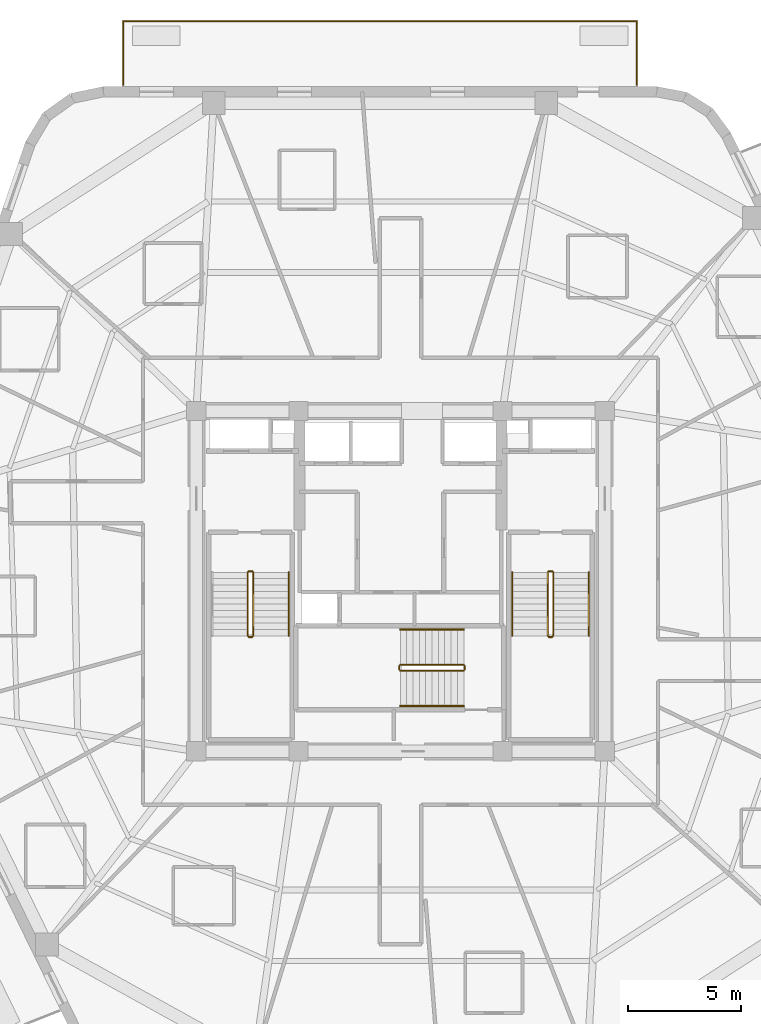
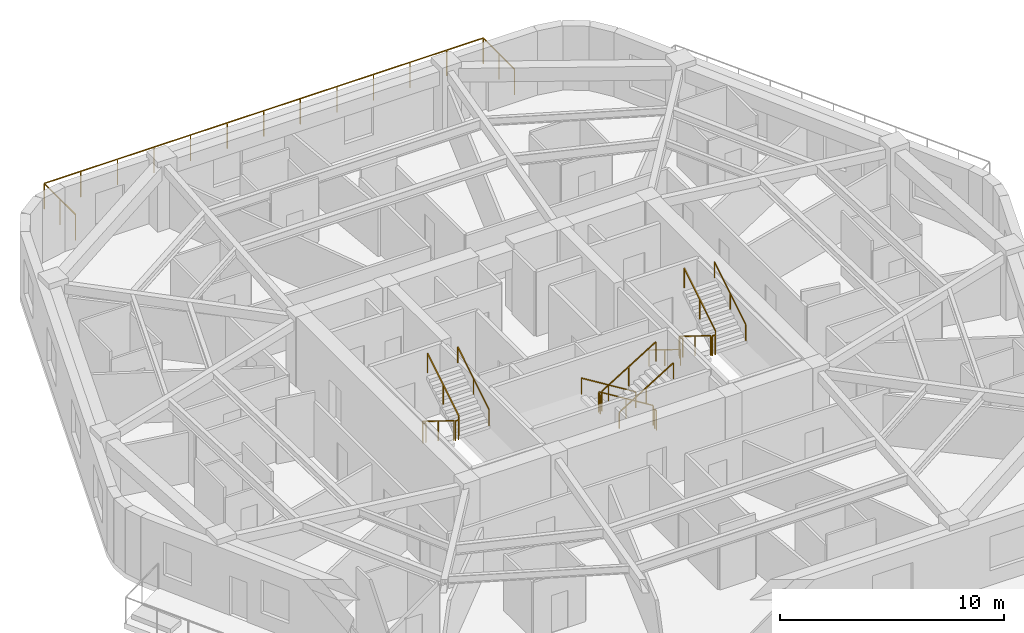
# One storey, part 9 of 10: 18 railings.
"""IFC4 building model written with IfcOpenShell, lengths in metres."""

from ifc_helpers import new_model, si_unit, direction, frame, origin, origin_2d, place, context, subcontext, project, spatial, rectangle, extrude, material, layer, layer_set, type_object, element, save


model = new_model("IFC4")

# Units and contexts
model_context = context("Model", 3, precision=1e-05, world=origin(), true_north=direction((0.0, 1.0)))
body_context = subcontext(model_context, "Body", "Model", "MODEL_VIEW")
ifc_project = project(units=[si_unit("LENGTHUNIT", "METRE"), si_unit("AREAUNIT", "SQUARE_METRE"), si_unit("VOLUMEUNIT", "CUBIC_METRE"), si_unit("PLANEANGLEUNIT", "RADIAN"), si_unit("MASSUNIT", "GRAM", prefix="KILO")], contexts=[model_context])

# Site, building, storey
site_placement = place(None, origin())
site = spatial("IfcSite", under=ifc_project, at=site_placement, CompositionType="ELEMENT")
building_placement = place(site_placement, origin())
building = spatial("IfcBuilding", under=site, at=building_placement, Name="Kilnhurst Terrace Hotel", CompositionType="ELEMENT")
storey_placement = place(building_placement, frame((0.0, 0.0, 248.300048828125)))
storey = spatial("IfcBuildingStorey", under=building, at=storey_placement, Name="L62", CompositionType="ELEMENT", Elevation=248.300048828125)

# Railings
ifc_material_1 = material(Name="Laminated SentryGlas and Stainless Steel AISI 316L Balustrade", Category="steel")
ifc_layer_1 = layer(ifc_material_1, 0.070068359375, Name="Laminated SentryGlas and Stainless Steel AISI 316L Balustrade")
ifc_layer_set_1 = layer_set([ifc_layer_1], Name="Laminated SentryGlas and Stainless Steel AISI 316L Balustrade")
railing_type_1 = type_object("IfcRailingType", Name="RLG-BAL-1420", PredefinedType="BALUSTRADE", material=ifc_layer_set_1)
railing_1_placement = place(storey_placement, frame((-12.21484375, 21.8798828125, 0.0)))
element("IfcRailing", 1, at=railing_1_placement, inside=storey, type_object=railing_type_1, Name="L62 Exterior Terrace Guardrail BAL-L1B.1", PredefinedType="BALUSTRADE", context=body_context, shape_type="SweptSolid", body=[
    extrude(rectangle(XDim=0.048095703125, YDim=0.048095703125, at=origin_2d()), frame((0.0, 0.0, 1.39599609375), z_axis=(0.0, 1.0, 0.0), x_axis=(-1.0, 0.0, 0.0)), (0.0, 0.0, 1.0), 2.800048828125),
    extrude(rectangle(XDim=0.048095703125, YDim=0.048095703125, at=origin_2d()), frame((0.0, 2.800048828125, 1.39599609375), z_axis=(1.0, 0.0, 0.0), x_axis=(0.0, 1.0, 0.0)), (0.0, 0.0, 1.0), 22.62353515625),
    extrude(rectangle(XDim=0.048095703125, YDim=0.048095703125, at=origin_2d()), frame((22.62353515625, 2.800048828125, 1.39599609375), z_axis=(0.0, -1.0, 0.0), x_axis=(1.0, 0.0, 0.0)), (0.0, 0.0, 1.0), 2.800048828125),
    extrude(rectangle(XDim=0.0419921875, YDim=0.0419921875, at=origin_2d()), origin(), (0.0, 0.0, 1.0), 1.371826171875),
    extrude(rectangle(XDim=0.0419921875, YDim=0.0419921875, at=origin_2d()), frame((0.0, 1.39990234375, 0.0)), (0.0, 0.0, 1.0), 1.371826171875),
    extrude(rectangle(XDim=0.0419921875, YDim=0.0419921875, at=origin_2d()), frame((0.0, 2.800048828125, 0.0)), (0.0, 0.0, 1.0), 1.371826171875),
    extrude(rectangle(XDim=0.0419921875, YDim=0.0419921875, at=origin_2d()), frame((1.88525390625, 2.800048828125, 0.0)), (0.0, 0.0, 1.0), 1.371826171875),
    extrude(rectangle(XDim=0.0419921875, YDim=0.0419921875, at=origin_2d()), frame((3.7705078125, 2.800048828125, 0.0)), (0.0, 0.0, 1.0), 1.371826171875),
    extrude(rectangle(XDim=0.0419921875, YDim=0.0419921875, at=origin_2d()), frame((5.65576171875, 2.800048828125, 0.0)), (0.0, 0.0, 1.0), 1.371826171875),
    extrude(rectangle(XDim=0.0419921875, YDim=0.0419921875, at=origin_2d()), frame((7.541259765625, 2.800048828125, 0.0)), (0.0, 0.0, 1.0), 1.371826171875),
    extrude(rectangle(XDim=0.0419921875, YDim=0.0419921875, at=origin_2d()), frame((9.426513671875, 2.800048828125, 0.0)), (0.0, 0.0, 1.0), 1.371826171875),
    extrude(rectangle(XDim=0.0419921875, YDim=0.0419921875, at=origin_2d()), frame((11.311767578125, 2.800048828125, 0.0)), (0.0, 0.0, 1.0), 1.371826171875),
    extrude(rectangle(XDim=0.0419921875, YDim=0.0419921875, at=origin_2d()), frame((13.197021484375, 2.800048828125, 0.0)), (0.0, 0.0, 1.0), 1.371826171875),
    extrude(rectangle(XDim=0.0419921875, YDim=0.0419921875, at=origin_2d()), frame((15.082275390625, 2.800048828125, 0.0)), (0.0, 0.0, 1.0), 1.371826171875),
    extrude(rectangle(XDim=0.0419921875, YDim=0.0419921875, at=origin_2d()), frame((16.9677734375, 2.800048828125, 0.0)), (0.0, 0.0, 1.0), 1.371826171875),
    extrude(rectangle(XDim=0.0419921875, YDim=0.0419921875, at=origin_2d()), frame((18.85302734375, 2.800048828125, 0.0)), (0.0, 0.0, 1.0), 1.371826171875),
    extrude(rectangle(XDim=0.0419921875, YDim=0.0419921875, at=origin_2d()), frame((20.73828125, 2.800048828125, 0.0)), (0.0, 0.0, 1.0), 1.371826171875),
    extrude(rectangle(XDim=0.0419921875, YDim=0.0419921875, at=origin_2d()), frame((22.62353515625, 2.800048828125, 0.0)), (0.0, 0.0, 1.0), 1.371826171875),
    extrude(rectangle(XDim=0.0419921875, YDim=0.0419921875, at=origin_2d()), frame((22.62353515625, 1.39990234375, 0.0)), (0.0, 0.0, 1.0), 1.371826171875),
    extrude(rectangle(XDim=0.0419921875, YDim=0.0419921875, at=origin_2d()), frame((22.62353515625, 0.0, 0.0)), (0.0, 0.0, 1.0), 1.371826171875),
])
ifc_material_2 = material(Name="Powder-Coated Steel ASTM A500 Grade B", Category="steel")
ifc_layer_2 = layer(ifc_material_2, 0.050048828125, Name="Powder-Coated Steel ASTM A500 Grade B")
ifc_layer_set_2 = layer_set([ifc_layer_2], Name="Powder-Coated Steel ASTM A500 Grade B")
railing_type_2 = type_object("IfcRailingType", Name="RLG-ST-GRD-1100", PredefinedType="GUARDRAIL", material=ifc_layer_set_2)
railing_2_placement = place(storey_placement, frame((-6.739990234375, 0.389892578125, 0.172607421875)))
element("IfcRailing", 2, at=railing_2_placement, inside=storey, type_object=railing_type_2, Name="L62 ST-1 stair guard 1", PredefinedType="GUARDRAIL", context=body_context, shape_type="SweptSolid", body=[
    extrude(rectangle(XDim=0.048095703125, YDim=0.048095703125, at=origin_2d()), frame((0.0, 0.0, 1.076171875), z_axis=(0.0, -0.851069175582, 0.525053576669), x_axis=(1.0, 0.0, 0.0)), (0.0, 0.0, 1.0), 3.289794921875),
    extrude(rectangle(XDim=0.0419921875, YDim=0.0419921875, at=origin_2d()), origin(), (0.0, 0.0, 1.0), 1.052001953125),
    extrude(rectangle(XDim=0.0419921875, YDim=0.0419921875, at=origin_2d()), frame((0.0, -1.39990234375, 0.86376953125)), (0.0, 0.0, 1.0), 1.052001953125),
    extrude(rectangle(XDim=0.0419921875, YDim=0.0419921875, at=origin_2d()), frame((0.0, -2.7998046875, 1.727294921875)), (0.0, 0.0, 1.0), 1.052001953125),
])
railing_3_placement = place(storey_placement, frame((-6.68994140625, -2.4599609375, 1.89990234375)))
element("IfcRailing", 3, at=railing_3_placement, inside=storey, type_object=railing_type_2, Name="L62 ST-1 stair guard 2", PredefinedType="GUARDRAIL", context=body_context, shape_type="SweptSolid", body=[
    extrude(rectangle(XDim=0.048095703125, YDim=0.048095703125, at=origin_2d()), frame((0.0, 0.0, 1.076171875), z_axis=(1.0, 0.0, 0.0), x_axis=(0.0, 1.0, 0.0)), (0.0, 0.0, 1.0), 0.14990234375),
    extrude(rectangle(XDim=0.0419921875, YDim=0.0419921875, at=origin_2d()), origin(), (0.0, 0.0, 1.0), 1.052001953125),
    extrude(rectangle(XDim=0.0419921875, YDim=0.0419921875, at=origin_2d()), frame((0.14990234375, 0.0, 0.0)), (0.0, 0.0, 1.0), 1.052001953125),
])
railing_4_placement = place(storey_placement, frame((-6.489990234375, -2.409912109375, 2.07275390625)))
element("IfcRailing", 4, at=railing_4_placement, inside=storey, type_object=railing_type_2, Name="L62 ST-1 stair guard 3", PredefinedType="GUARDRAIL", context=body_context, shape_type="SweptSolid", body=[
    extrude(rectangle(XDim=0.048095703125, YDim=0.048095703125, at=origin_2d()), frame((0.0, 0.0, 1.076171875), z_axis=(0.0, 0.851069175582, 0.525053576669), x_axis=(-1.0, 0.0, 0.0)), (0.0, 0.0, 1.0), 3.289794921875),
    extrude(rectangle(XDim=0.0419921875, YDim=0.0419921875, at=origin_2d()), origin(), (0.0, 0.0, 1.0), 1.052001953125),
    extrude(rectangle(XDim=0.0419921875, YDim=0.0419921875, at=origin_2d()), frame((0.0, 1.39990234375, 0.86376953125)), (0.0, 0.0, 1.0), 1.052001953125),
    extrude(rectangle(XDim=0.0419921875, YDim=0.0419921875, at=origin_2d()), frame((0.0, 2.7998046875, 1.727294921875)), (0.0, 0.0, 1.0), 1.052001953125),
])
railing_5_placement = place(storey_placement, frame((-6.68994140625, 0.43994140625, 0.0)))
element("IfcRailing", 5, at=railing_5_placement, inside=storey, type_object=railing_type_2, Name="L62 ST-1 stair guard 4", PredefinedType="GUARDRAIL", context=body_context, shape_type="SweptSolid", body=[
    extrude(rectangle(XDim=0.048095703125, YDim=0.048095703125, at=origin_2d()), frame((0.0, 0.0, 1.076171875), z_axis=(1.0, 0.0, 0.0), x_axis=(0.0, 1.0, 0.0)), (0.0, 0.0, 1.0), 0.14990234375),
    extrude(rectangle(XDim=0.0419921875, YDim=0.0419921875, at=origin_2d()), origin(), (0.0, 0.0, 1.0), 1.052001953125),
    extrude(rectangle(XDim=0.0419921875, YDim=0.0419921875, at=origin_2d()), frame((0.14990234375, 0.0, 0.0)), (0.0, 0.0, 1.0), 1.052001953125),
])
railing_6_placement = place(storey_placement, frame((6.489990234375, 0.389892578125, 0.172607421875)))
element("IfcRailing", 6, at=railing_6_placement, inside=storey, type_object=railing_type_2, Name="L62 ST-2 stair guard 1", PredefinedType="GUARDRAIL", context=body_context, shape_type="SweptSolid", body=[
    extrude(rectangle(XDim=0.048095703125, YDim=0.048095703125, at=origin_2d()), frame((0.0, 0.0, 1.076171875), z_axis=(0.0, -0.851069175582, 0.525053576669), x_axis=(1.0, 0.0, 0.0)), (0.0, 0.0, 1.0), 3.289794921875),
    extrude(rectangle(XDim=0.0419921875, YDim=0.0419921875, at=origin_2d()), origin(), (0.0, 0.0, 1.0), 1.052001953125),
    extrude(rectangle(XDim=0.0419921875, YDim=0.0419921875, at=origin_2d()), frame((0.0, -1.39990234375, 0.86376953125)), (0.0, 0.0, 1.0), 1.052001953125),
    extrude(rectangle(XDim=0.0419921875, YDim=0.0419921875, at=origin_2d()), frame((0.0, -2.7998046875, 1.727294921875)), (0.0, 0.0, 1.0), 1.052001953125),
])
railing_7_placement = place(storey_placement, frame((6.5400390625, -2.4599609375, 1.89990234375)))
element("IfcRailing", 7, at=railing_7_placement, inside=storey, type_object=railing_type_2, Name="L62 ST-2 stair guard 2", PredefinedType="GUARDRAIL", context=body_context, shape_type="SweptSolid", body=[
    extrude(rectangle(XDim=0.048095703125, YDim=0.048095703125, at=origin_2d()), frame((0.0, 0.0, 1.076171875), z_axis=(1.0, 0.0, 0.0), x_axis=(0.0, 1.0, 0.0)), (0.0, 0.0, 1.0), 0.14990234375),
    extrude(rectangle(XDim=0.0419921875, YDim=0.0419921875, at=origin_2d()), origin(), (0.0, 0.0, 1.0), 1.052001953125),
    extrude(rectangle(XDim=0.0419921875, YDim=0.0419921875, at=origin_2d()), frame((0.14990234375, 0.0, 0.0)), (0.0, 0.0, 1.0), 1.052001953125),
])
railing_8_placement = place(storey_placement, frame((6.739990234375, -2.409912109375, 2.07275390625)))
element("IfcRailing", 8, at=railing_8_placement, inside=storey, type_object=railing_type_2, Name="L62 ST-2 stair guard 3", PredefinedType="GUARDRAIL", context=body_context, shape_type="SweptSolid", body=[
    extrude(rectangle(XDim=0.048095703125, YDim=0.048095703125, at=origin_2d()), frame((0.0, 0.0, 1.076171875), z_axis=(0.0, 0.851069175582, 0.525053576669), x_axis=(-1.0, 0.0, 0.0)), (0.0, 0.0, 1.0), 3.289794921875),
    extrude(rectangle(XDim=0.0419921875, YDim=0.0419921875, at=origin_2d()), origin(), (0.0, 0.0, 1.0), 1.052001953125),
    extrude(rectangle(XDim=0.0419921875, YDim=0.0419921875, at=origin_2d()), frame((0.0, 1.39990234375, 0.86376953125)), (0.0, 0.0, 1.0), 1.052001953125),
    extrude(rectangle(XDim=0.0419921875, YDim=0.0419921875, at=origin_2d()), frame((0.0, 2.7998046875, 1.727294921875)), (0.0, 0.0, 1.0), 1.052001953125),
])
railing_9_placement = place(storey_placement, frame((6.5400390625, 0.43994140625, 0.0)))
element("IfcRailing", 9, at=railing_9_placement, inside=storey, type_object=railing_type_2, Name="L62 ST-2 stair guard 4", PredefinedType="GUARDRAIL", context=body_context, shape_type="SweptSolid", body=[
    extrude(rectangle(XDim=0.048095703125, YDim=0.048095703125, at=origin_2d()), frame((0.0, 0.0, 1.076171875), z_axis=(1.0, 0.0, 0.0), x_axis=(0.0, 1.0, 0.0)), (0.0, 0.0, 1.0), 0.14990234375),
    extrude(rectangle(XDim=0.0419921875, YDim=0.0419921875, at=origin_2d()), origin(), (0.0, 0.0, 1.0), 1.052001953125),
    extrude(rectangle(XDim=0.0419921875, YDim=0.0419921875, at=origin_2d()), frame((0.14990234375, 0.0, 0.0)), (0.0, 0.0, 1.0), 1.052001953125),
])
railing_10_placement = place(storey_placement, frame((2.7900390625, -3.68994140625, 0.172607421875)))
element("IfcRailing", 10, at=railing_10_placement, inside=storey, type_object=railing_type_2, Name="L62 ST-3 stair guard 1", PredefinedType="GUARDRAIL", context=body_context, shape_type="SweptSolid", body=[
    extrude(rectangle(XDim=0.048095703125, YDim=0.048095703125, at=origin_2d()), frame((0.0, 0.0, 1.076171875), z_axis=(-0.851089632645, 0.0, 0.525020415988), x_axis=(0.0, -1.0, 0.0)), (0.0, 0.0, 1.0), 3.2900390625),
    extrude(rectangle(XDim=0.0419921875, YDim=0.0419921875, at=origin_2d()), origin(), (0.0, 0.0, 1.0), 1.052001953125),
    extrude(rectangle(XDim=0.0419921875, YDim=0.0419921875, at=origin_2d()), frame((-1.39990234375, 0.0, 0.86376953125)), (0.0, 0.0, 1.0), 1.052001953125),
    extrude(rectangle(XDim=0.0419921875, YDim=0.0419921875, at=origin_2d()), frame((-2.800048828125, 0.0, 1.727294921875)), (0.0, 0.0, 1.0), 1.052001953125),
])
railing_11_placement = place(storey_placement, frame((-0.06005859375, -3.739990234375, 1.89990234375)))
element("IfcRailing", 11, at=railing_11_placement, inside=storey, type_object=railing_type_2, Name="L62 ST-3 stair guard 2", PredefinedType="GUARDRAIL", context=body_context, shape_type="SweptSolid", body=[
    extrude(rectangle(XDim=0.048095703125, YDim=0.048095703125, at=origin_2d()), frame((0.0, 0.0, 1.076171875), z_axis=(0.0, -1.0, 0.0), x_axis=(1.0, 0.0, 0.0)), (0.0, 0.0, 1.0), 0.14990234375),
    extrude(rectangle(XDim=0.0419921875, YDim=0.0419921875, at=origin_2d()), origin(), (0.0, 0.0, 1.0), 1.052001953125),
    extrude(rectangle(XDim=0.0419921875, YDim=0.0419921875, at=origin_2d()), frame((0.0, -0.14990234375, 0.0)), (0.0, 0.0, 1.0), 1.052001953125),
])
railing_12_placement = place(storey_placement, frame((-0.010009765625, -3.93994140625, 2.07275390625)))
element("IfcRailing", 12, at=railing_12_placement, inside=storey, type_object=railing_type_2, Name="L62 ST-3 stair guard 3", PredefinedType="GUARDRAIL", context=body_context, shape_type="SweptSolid", body=[
    extrude(rectangle(XDim=0.048095703125, YDim=0.048095703125, at=origin_2d()), frame((0.0, 0.0, 1.076171875), z_axis=(0.851089632645, 0.0, 0.525020415988), x_axis=(0.0, 1.0, 0.0)), (0.0, 0.0, 1.0), 3.2900390625),
    extrude(rectangle(XDim=0.0419921875, YDim=0.0419921875, at=origin_2d()), origin(), (0.0, 0.0, 1.0), 1.052001953125),
    extrude(rectangle(XDim=0.0419921875, YDim=0.0419921875, at=origin_2d()), frame((1.39990234375, 0.0, 0.86376953125)), (0.0, 0.0, 1.0), 1.052001953125),
    extrude(rectangle(XDim=0.0419921875, YDim=0.0419921875, at=origin_2d()), frame((2.800048828125, 0.0, 1.727294921875)), (0.0, 0.0, 1.0), 1.052001953125),
])
railing_13_placement = place(storey_placement, frame((2.840087890625, -3.739990234375, 0.0)))
element("IfcRailing", 13, at=railing_13_placement, inside=storey, type_object=railing_type_2, Name="L62 ST-3 stair guard 4", PredefinedType="GUARDRAIL", context=body_context, shape_type="SweptSolid", body=[
    extrude(rectangle(XDim=0.048095703125, YDim=0.048095703125, at=origin_2d()), frame((0.0, 0.0, 1.076171875), z_axis=(0.0, -1.0, 0.0), x_axis=(1.0, 0.0, 0.0)), (0.0, 0.0, 1.0), 0.14990234375),
    extrude(rectangle(XDim=0.0419921875, YDim=0.0419921875, at=origin_2d()), origin(), (0.0, 0.0, 1.0), 1.052001953125),
    extrude(rectangle(XDim=0.0419921875, YDim=0.0419921875, at=origin_2d()), frame((0.0, -0.14990234375, 0.0)), (0.0, 0.0, 1.0), 1.052001953125),
])
ifc_material_3 = material(Name="Brushed Stainless Steel AISI 304", Category="steel")
ifc_layer_3 = layer(ifc_material_3, 0.048095703125, Name="Brushed Stainless Steel AISI 304")
ifc_layer_set_3 = layer_set([ifc_layer_3], Name="Brushed Stainless Steel AISI 304")
railing_type_3 = type_object("IfcRailingType", Name="RLG-ST-HRL-900", PredefinedType="HANDRAIL", material=ifc_layer_set_3)
railing_14_placement = place(storey_placement, frame((-4.929931640625, -2.409912109375, 2.07275390625)))
element("IfcRailing", 14, at=railing_14_placement, inside=storey, type_object=railing_type_3, Name="L62 ST-1 stair handrail 2", PredefinedType="HANDRAIL", context=body_context, shape_type="SweptSolid", body=[
    extrude(rectangle(XDim=0.048095703125, YDim=0.048095703125, at=origin_2d()), frame((0.0, 0.0, 0.8759765625), z_axis=(0.0, 0.851069175582, 0.525053576669), x_axis=(-1.0, 0.0, 0.0)), (0.0, 0.0, 1.0), 3.289794921875),
    extrude(rectangle(XDim=0.0419921875, YDim=0.0419921875, at=origin_2d()), origin(), (0.0, 0.0, 1.0), 0.851806640625),
    extrude(rectangle(XDim=0.0419921875, YDim=0.0419921875, at=origin_2d()), frame((0.0, 1.39990234375, 0.86376953125)), (0.0, 0.0, 1.0), 0.851806640625),
    extrude(rectangle(XDim=0.0419921875, YDim=0.0419921875, at=origin_2d()), frame((0.0, 2.7998046875, 1.727294921875)), (0.0, 0.0, 1.0), 0.851806640625),
])
railing_15_placement = place(storey_placement, frame((4.929931640625, 0.389892578125, 0.172607421875)))
element("IfcRailing", 15, at=railing_15_placement, inside=storey, type_object=railing_type_3, Name="L62 ST-2 stair handrail 1", PredefinedType="HANDRAIL", context=body_context, shape_type="SweptSolid", body=[
    extrude(rectangle(XDim=0.048095703125, YDim=0.048095703125, at=origin_2d()), frame((0.0, 0.0, 0.8759765625), z_axis=(0.0, -0.851069175582, 0.525053576669), x_axis=(1.0, 0.0, 0.0)), (0.0, 0.0, 1.0), 3.289794921875),
    extrude(rectangle(XDim=0.0419921875, YDim=0.0419921875, at=origin_2d()), origin(), (0.0, 0.0, 1.0), 0.851806640625),
    extrude(rectangle(XDim=0.0419921875, YDim=0.0419921875, at=origin_2d()), frame((0.0, -1.39990234375, 0.86376953125)), (0.0, 0.0, 1.0), 0.851806640625),
    extrude(rectangle(XDim=0.0419921875, YDim=0.0419921875, at=origin_2d()), frame((0.0, -2.7998046875, 1.727294921875)), (0.0, 0.0, 1.0), 0.851806640625),
])
railing_16_placement = place(storey_placement, frame((8.300048828125, -2.409912109375, 2.07275390625)))
element("IfcRailing", 16, at=railing_16_placement, inside=storey, type_object=railing_type_3, Name="L62 ST-2 stair handrail 2", PredefinedType="HANDRAIL", context=body_context, shape_type="SweptSolid", body=[
    extrude(rectangle(XDim=0.048095703125, YDim=0.048095703125, at=origin_2d()), frame((0.0, 0.0, 0.8759765625), z_axis=(0.0, 0.851069175582, 0.525053576669), x_axis=(-1.0, 0.0, 0.0)), (0.0, 0.0, 1.0), 3.289794921875),
    extrude(rectangle(XDim=0.0419921875, YDim=0.0419921875, at=origin_2d()), origin(), (0.0, 0.0, 1.0), 0.851806640625),
    extrude(rectangle(XDim=0.0419921875, YDim=0.0419921875, at=origin_2d()), frame((0.0, 1.39990234375, 0.86376953125)), (0.0, 0.0, 1.0), 0.851806640625),
    extrude(rectangle(XDim=0.0419921875, YDim=0.0419921875, at=origin_2d()), frame((0.0, 2.7998046875, 1.727294921875)), (0.0, 0.0, 1.0), 0.851806640625),
])
railing_17_placement = place(storey_placement, frame((2.7900390625, -2.1298828125, 0.172607421875)))
element("IfcRailing", 17, at=railing_17_placement, inside=storey, type_object=railing_type_3, Name="L62 ST-3 stair handrail 1", PredefinedType="HANDRAIL", context=body_context, shape_type="SweptSolid", body=[
    extrude(rectangle(XDim=0.048095703125, YDim=0.048095703125, at=origin_2d()), frame((0.0, 0.0, 0.8759765625), z_axis=(-0.851089632645, 0.0, 0.525020415988), x_axis=(0.0, -1.0, 0.0)), (0.0, 0.0, 1.0), 3.2900390625),
    extrude(rectangle(XDim=0.0419921875, YDim=0.0419921875, at=origin_2d()), origin(), (0.0, 0.0, 1.0), 0.851806640625),
    extrude(rectangle(XDim=0.0419921875, YDim=0.0419921875, at=origin_2d()), frame((-1.39990234375, 0.0, 0.86376953125)), (0.0, 0.0, 1.0), 0.851806640625),
    extrude(rectangle(XDim=0.0419921875, YDim=0.0419921875, at=origin_2d()), frame((-2.800048828125, 0.0, 1.727294921875)), (0.0, 0.0, 1.0), 0.851806640625),
])
railing_18_placement = place(storey_placement, frame((-0.010009765625, -5.5, 2.07275390625)))
element("IfcRailing", 18, at=railing_18_placement, inside=storey, type_object=railing_type_3, Name="L62 ST-3 stair handrail 2", PredefinedType="HANDRAIL", context=body_context, shape_type="SweptSolid", body=[
    extrude(rectangle(XDim=0.048095703125, YDim=0.048095703125, at=origin_2d()), frame((0.0, 0.0, 0.8759765625), z_axis=(0.851089632645, 0.0, 0.525020415988), x_axis=(0.0, 1.0, 0.0)), (0.0, 0.0, 1.0), 3.2900390625),
    extrude(rectangle(XDim=0.0419921875, YDim=0.0419921875, at=origin_2d()), origin(), (0.0, 0.0, 1.0), 0.851806640625),
    extrude(rectangle(XDim=0.0419921875, YDim=0.0419921875, at=origin_2d()), frame((1.39990234375, 0.0, 0.86376953125)), (0.0, 0.0, 1.0), 0.851806640625),
    extrude(rectangle(XDim=0.0419921875, YDim=0.0419921875, at=origin_2d()), frame((2.800048828125, 0.0, 1.727294921875)), (0.0, 0.0, 1.0), 0.851806640625),
])

save(model, "model.ifc")
